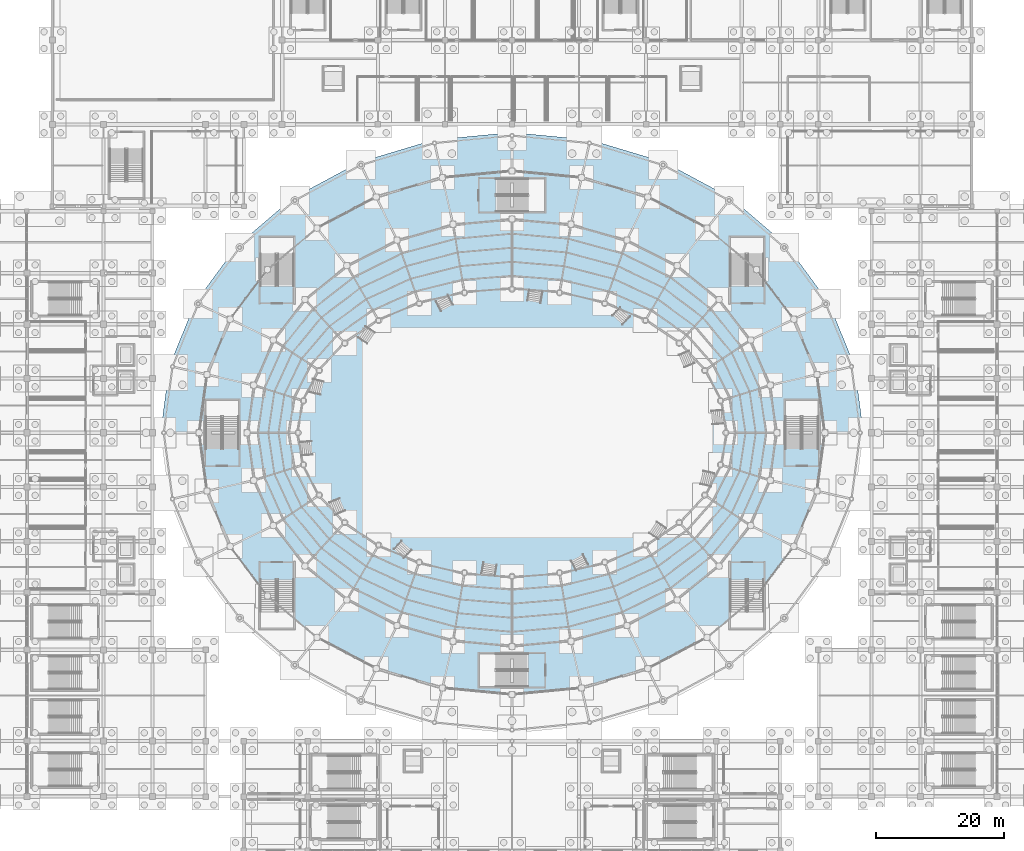
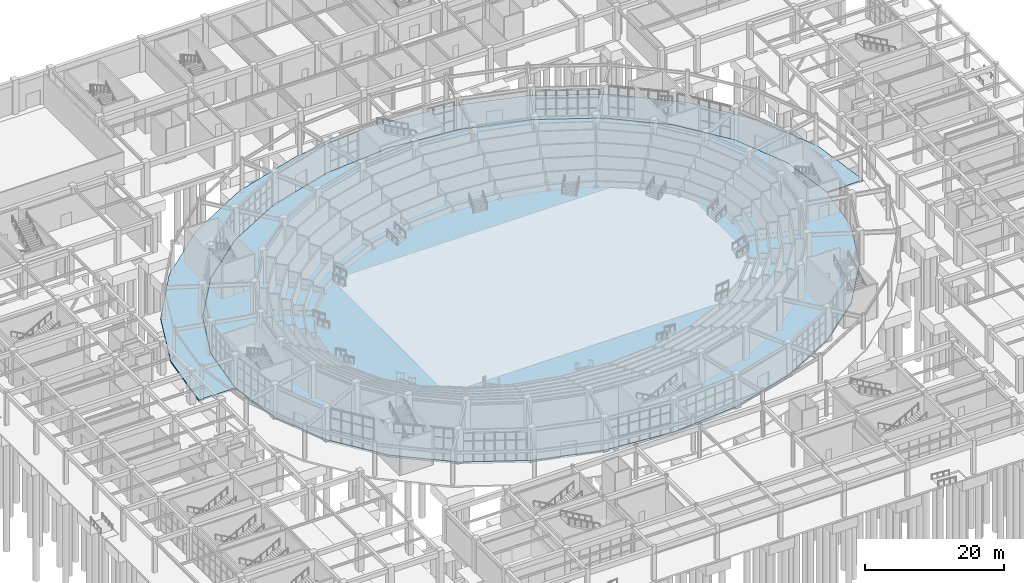
# One storey, part 71 of 121: 2 slabs.
"""IFC4 building model written with IfcOpenShell, lengths in metres."""

from ifc_helpers import new_model, si_unit, direction, frame, origin, place, context, subcontext, project, spatial, polyline, outline, extrude, material, layer, layer_set, type_object, element, save


model = new_model("IFC4")

# Units and contexts
model_context = context("Model", 3, precision=1e-05, world=origin(), true_north=direction((0.0, 1.0)))
body_context = subcontext(model_context, "Body", "Model", "MODEL_VIEW")
ifc_project = project(units=[si_unit("LENGTHUNIT", "METRE"), si_unit("AREAUNIT", "SQUARE_METRE"), si_unit("VOLUMEUNIT", "CUBIC_METRE"), si_unit("PLANEANGLEUNIT", "RADIAN"), si_unit("MASSUNIT", "GRAM", prefix="KILO")], contexts=[model_context])

# Site, building, storey
site_placement = place(None, origin())
site = spatial("IfcSite", under=ifc_project, at=site_placement, CompositionType="ELEMENT")
building_placement = place(site_placement, origin())
building = spatial("IfcBuilding", under=site, at=building_placement, Name="Cuetzalor Civic Arena", CompositionType="ELEMENT")
storey_placement = place(building_placement, origin())
storey = spatial("IfcBuildingStorey", under=building, at=storey_placement, Name="L00", CompositionType="ELEMENT", Elevation=0.0)

# Slabs
ifc_material_1 = material(Name="Concrete C35/45", Category="concrete")
ifc_layer_1 = layer(ifc_material_1, 0.260009765625)
ifc_layer_set_1 = layer_set([ifc_layer_1], Name="Concrete C35/45")
slab_type_1 = type_object("IfcSlabType", Name="ExteriorPlazaSlab_240", PredefinedType="BASESLAB", material=ifc_layer_set_1)
slab_1_placement = place(storey_placement, frame((0.0, 0.0, -0.260009765625)))
element("IfcSlab", 1, at=slab_1_placement, inside=storey, type_object=slab_type_1, Name="Exterior Drum Colonnade Plaza Paving 01", PredefinedType="BASESLAB", context=body_context, shape_type="SweptSolid", body=[
    extrude(outline(polyline([(49.0, 0.0), (47.771484375, 9.123291015625), (44.1474609375, 17.789306640625), (38.309814453125, 25.56298828125), (30.551025390625, 32.05517578125), (21.26025390625, 36.939697265625), (10.903564453125, 39.971923828125), (0.0, 41.0), (-10.903564453125, 39.971923828125), (-21.26025390625, 36.939697265625), (-30.551025390625, 32.05517578125), (-38.309814453125, 25.56298828125), (-44.1474609375, 17.789306640625), (-47.771484375, 9.123291015625), (-49.0, 0.0), (-55.050048828125, 0.0), (-53.669921875, 10.469482421875), (-49.598388671875, 20.414306640625), (-43.039794921875, 29.335205078125), (-34.322998046875, 36.78515625), (-23.88525390625, 42.390625), (-12.249755859375, 45.870361328125), (0.0, 47.050048828125), (12.249755859375, 45.870361328125), (23.88525390625, 42.390625), (34.322998046875, 36.78515625), (43.039794921875, 29.335205078125), (49.598388671875, 20.414306640625), (53.669921875, 10.469482421875), (55.050048828125, 0.0), (49.0, 0.0)])), origin(), (0.0, 0.0, 1.0), 0.260009765625),
])
ifc_material_2 = material(Name="Concrete C35/45", Category="concrete")
ifc_layer_2 = layer(ifc_material_2, 0.35009765625)
ifc_layer_set_2 = layer_set([ifc_layer_2], Name="Concrete C35/45")
slab_type_2 = type_object("IfcSlabType", Name="GroundBaseSlab_350", PredefinedType="BASESLAB", material=ifc_layer_set_2)
slab_2_placement = place(storey_placement, frame((0.0, 0.0, -0.35009765625)))
element("IfcSlab", 2, at=slab_2_placement, inside=storey, type_object=slab_type_2, Name="Arena Event and Ground Concourse Base Slab", PredefinedType="BASESLAB", context=body_context, shape_type="SweptSolid", body=[
    extrude(outline(polyline([(49.0, 0.0), (47.771484375, 9.123291015625), (44.1474609375, 17.789306640625), (38.309814453125, 25.56298828125), (30.551025390625, 32.05517578125), (21.26025390625, 36.939697265625), (10.903564453125, 39.971923828125), (0.0, 41.0), (-10.903564453125, 39.971923828125), (-21.26025390625, 36.939697265625), (-30.551025390625, 32.05517578125), (-38.309814453125, 25.56298828125), (-44.1474609375, 17.789306640625), (-47.771484375, 9.123291015625), (-49.0, 0.0), (-47.771484375, -9.123291015625), (-44.1474609375, -17.789306640625), (-38.309814453125, -25.56298828125), (-30.551025390625, -32.05517578125), (-21.26025390625, -36.939697265625), (-10.903564453125, -39.971923828125), (0.0, -41.0), (10.903564453125, -39.971923828125), (21.26025390625, -36.939697265625), (30.551025390625, -32.05517578125), (38.309814453125, -25.56298828125), (44.1474609375, -17.789306640625), (47.771484375, -9.123291015625), (49.0, 0.0)])), origin(), (0.0, 0.0, 1.0), 0.35009765625),
])

save(model, "model.ifc")
